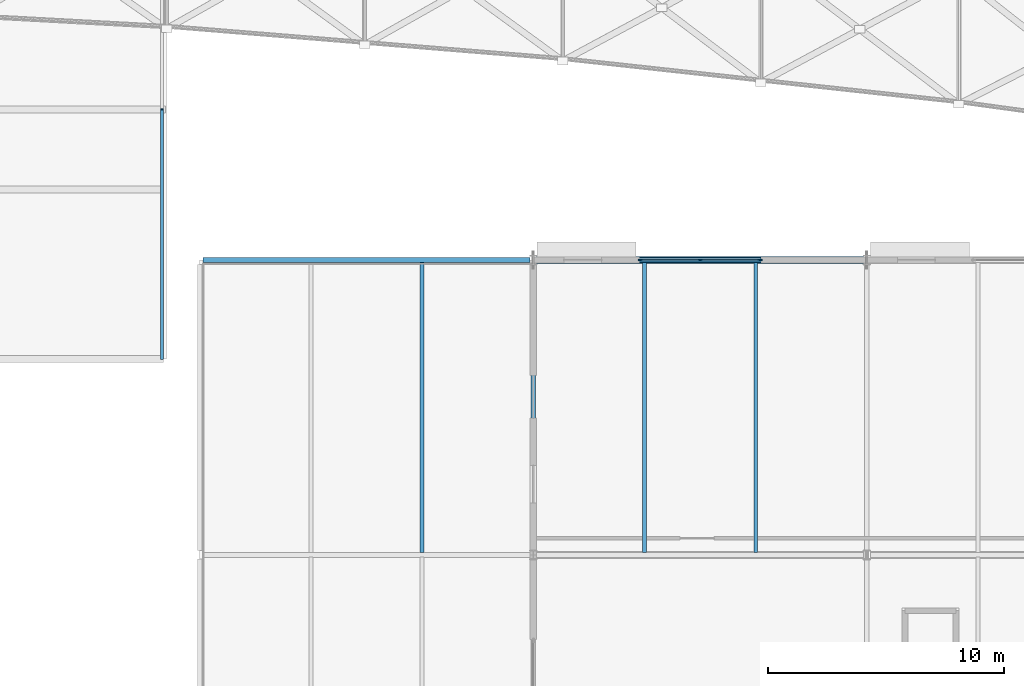
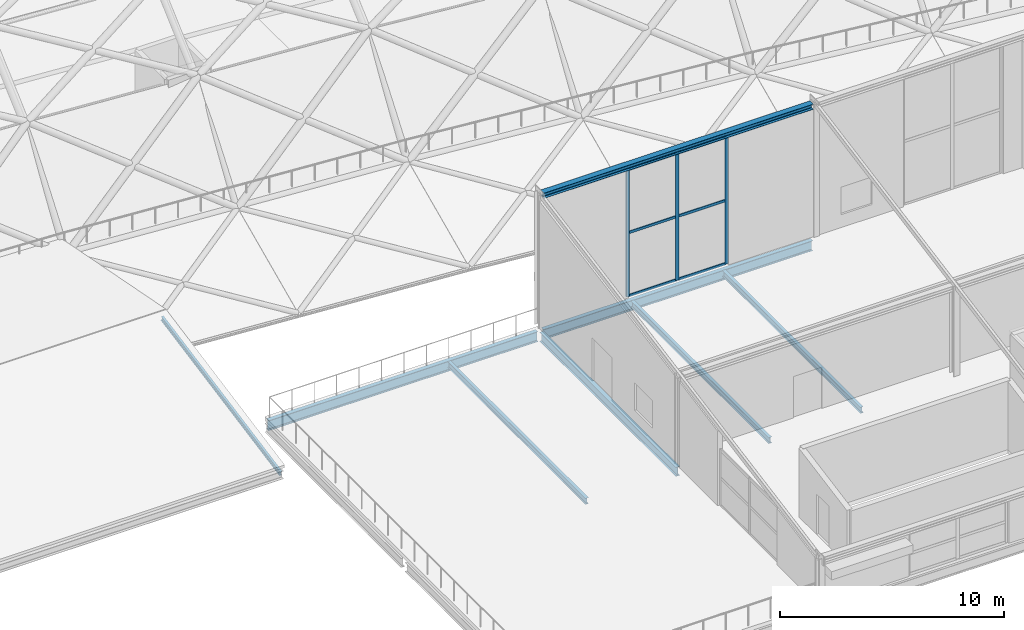
# One storey, part 47 of 100: 10 members, 7 beams, 1 element without a shape of its own.
"""IFC4 building model written with IfcOpenShell, lengths in metres."""

import ifcopenshell
import ifcopenshell.guid

model = None  # the IFC model being written
_history = None  # IfcOwnerHistory: only IFC2X3 demands one
_inside = {}  # id of a spatial element -> (the spatial element, [elements in it])
_under = {}  # id of a project, library or spatial element -> (it, [spatial elements below it])
_declared = {}  # id of a project -> (the project, [libraries it declares])
_typed = {}  # id of a type object -> (the type object, [elements of that type])
_made_of = {}  # id of a material, layer set ... -> (it, [elements and type objects made of it])


def new_model(schema):
    """Start an empty IFC model of exactly this schema.

    Asked for "IFC4X3", IfcOpenShell would pick the latest addendum, in which some entities
    have other attributes; the version numbers below select the first issue.
    IFC2X3 requires an IfcOwnerHistory on every rooted entity: one is made here for all.
    """
    global model, _history
    if schema == "IFC4X3":
        model = ifcopenshell.file(schema_version=(4, 3, 0, 0))
    else:
        model = ifcopenshell.file(schema=schema)
    _inside.clear()
    _under.clear()
    _declared.clear()
    _typed.clear()
    _made_of.clear()
    _history = None
    if model.schema == "IFC2X3":
        org = make("IfcOrganization", Name="unknown")
        user = make(
            "IfcPersonAndOrganization",
            ThePerson=make("IfcPerson", FamilyName="unknown"),
            TheOrganization=org,
        )
        app = make(
            "IfcApplication",
            ApplicationDeveloper=org,
            Version="unknown",
            ApplicationFullName="unknown",
            ApplicationIdentifier="unknown",
        )
        _history = make(
            "IfcOwnerHistory",
            OwningUser=user,
            OwningApplication=app,
            ChangeAction="ADDED",
            CreationDate=0,
        )
    return model


def make(cls, **values):
    """One entity of the class cls with the attributes given. An attribute that is None is left unset."""
    return model.create_entity(
        cls, **{name: value for name, value in values.items() if value is not None}
    )


def rooted(cls, **values):
    """An entity with a GlobalId (a new one), such as an element, a storey or a relation."""
    return make(cls, GlobalId=ifcopenshell.guid.new(), OwnerHistory=_history, **values)


def si_unit(unit_type, name, prefix=None):
    """IfcSIUnit, for example si_unit("LENGTHUNIT", "METRE", prefix="MILLI")."""
    return make("IfcSIUnit", UnitType=unit_type, Prefix=prefix, Name=name)


def assignment(units):
    """IfcUnitAssignment: the units of a project."""
    return None if units is None else make("IfcUnitAssignment", Units=units)


def point(xyz):
    """IfcCartesianPoint."""
    return None if xyz is None else make("IfcCartesianPoint", Coordinates=xyz)


def direction(xyz):
    """IfcDirection."""
    return None if xyz is None else make("IfcDirection", DirectionRatios=xyz)


def frame(location, z_axis=None, x_axis=None):
    """IfcAxis2Placement3D, a coordinate frame: its origin and axes. An axis left out is left unset."""
    return make(
        "IfcAxis2Placement3D",
        Location=point(location),
        Axis=direction(z_axis),
        RefDirection=direction(x_axis),
    )


def frame_2d(location, x_axis=None):
    """IfcAxis2Placement2D, a coordinate frame in the plane: its origin and x axis."""
    return make(
        "IfcAxis2Placement2D", Location=point(location), RefDirection=direction(x_axis)
    )


def origin():
    """The frame at (0, 0, 0) with its axes left unset."""
    return frame((0.0, 0.0, 0.0))


def origin_2d():
    """The frame at (0, 0) in the plane with its x axis left unset."""
    return frame_2d((0.0, 0.0))


def place(relative_to, where):
    """IfcLocalPlacement: puts the frame where relative to a parent placement (None: the world)."""
    return make(
        "IfcLocalPlacement", PlacementRelTo=relative_to, RelativePlacement=where
    )


def context(
    kind, dimensions, precision=None, world=None, true_north=None, identifier=None
):
    """IfcGeometricRepresentationContext, for example the 3D "Model" context."""
    return make(
        "IfcGeometricRepresentationContext",
        ContextIdentifier=identifier,
        ContextType=kind,
        CoordinateSpaceDimension=dimensions,
        Precision=precision,
        WorldCoordinateSystem=world,
        TrueNorth=true_north,
    )


def subcontext(parent, identifier, kind, view, scale=None):
    """IfcGeometricRepresentationSubContext, for example "Body" below "Model"."""
    return make(
        "IfcGeometricRepresentationSubContext",
        ContextIdentifier=identifier,
        ContextType=kind,
        ParentContext=parent,
        TargetScale=scale,
        TargetView=view,
    )


def project(units=None, contexts=None):
    """IfcProject with its units and contexts."""
    return rooted(
        "IfcProject",
        Name="project",
        RepresentationContexts=contexts,
        UnitsInContext=assignment(units),
    )


def spatial(cls, under=None, at=None, **own):
    """A site, building, storey or space (cls), placed at a placement, below another one or the project."""
    s = rooted(cls, ObjectPlacement=at, **own)
    if under is not None:
        _under.setdefault(under.id(), (under, []))[1].append(s)
    return s


def profile(cls, at=None, kind="AREA", **sizes):
    """A parametric profile (cls). Its sizes go by their IFC names, for example OverallWidth=200.0."""
    return make(cls, ProfileType=kind, Position=at, **sizes)


def rectangle(**sizes):
    """IfcRectangleProfileDef."""
    return profile("IfcRectangleProfileDef", **sizes)


def i_section(**sizes):
    """IfcIShapeProfileDef."""
    return profile("IfcIShapeProfileDef", **sizes)


def extrude(swept, where, along, depth):
    """IfcExtrudedAreaSolid: the profile swept, set in the frame where, extruded along a direction by depth."""
    return make(
        "IfcExtrudedAreaSolid",
        SweptArea=swept,
        Position=where,
        ExtrudedDirection=direction(along),
        Depth=depth,
    )


def shape(context_of_items, identifier, shape_type, items):
    """IfcShapeRepresentation: the items that make up one representation, for example the "Body"."""
    return make(
        "IfcShapeRepresentation",
        ContextOfItems=context_of_items,
        RepresentationIdentifier=identifier,
        RepresentationType=shape_type,
        Items=items,
    )


def material(Name=None, Category=None):
    """IfcMaterial."""
    return make("IfcMaterial", Name=Name, Category=Category)


def material_profile(
    of_material, cross_section, Name=None, Category=None, Priority=None
):
    """IfcMaterialProfile: a cross section and its material."""
    return make(
        "IfcMaterialProfile",
        Name=Name,
        Material=of_material,
        Profile=cross_section,
        Priority=Priority,
        Category=Category,
    )


def profile_set(profiles, Name=None, composite=None):
    """IfcMaterialProfileSet."""
    return make(
        "IfcMaterialProfileSet",
        Name=Name,
        MaterialProfiles=profiles,
        CompositeProfile=composite,
    )


def made_of(thing, what):
    """Note that an element or type object is made of a material, layer set ...; save() writes the relation."""
    if what is not None:
        _made_of.setdefault(what.id(), (what, []))[1].append(thing)
    return thing


def type_object(cls, material=None, **own):
    """A type object (cls), such as IfcWallType, which elements share."""
    return made_of(rooted(cls, **own), material)


def element(
    cls,
    number,
    at=None,
    inside=None,
    cuts=None,
    type_object=None,
    material=None,
    context=None,
    identifier="Body",
    shape_type=None,
    held_by="IfcProductDefinitionShape",
    body=None,
    shapes=None,
    **own,
):
    """One element of the class cls, such as IfcWall. Its Tag is "e" and its number.

    at: its placement. inside: the storey or other place that contains it. cuts: it is an
    opening in that element (IfcRelVoidsElement). A single representation is given by context,
    identifier, shape_type and body (its items); several are given by shapes. held_by: the class
    of the entity that holds the representations. save() writes the other relations.
    """
    e = rooted(cls, Tag="e%d" % number, ObjectPlacement=at, **own)
    if body is not None:
        shapes = [shape(context, identifier, shape_type, body)]
    if shapes is not None:
        e.Representation = make(held_by, Representations=shapes)
    if inside is not None:
        _inside.setdefault(inside.id(), (inside, []))[1].append(e)
    if cuts is not None:
        rooted(
            "IfcRelVoidsElement", RelatingBuildingElement=cuts, RelatedOpeningElement=e
        )
    if type_object is not None:
        _typed.setdefault(type_object.id(), (type_object, []))[1].append(e)
    return made_of(e, material)


def aggregate(whole, parts):
    """IfcRelAggregates: a whole, such as a stair, and the parts it consists of."""
    return rooted("IfcRelAggregates", RelatingObject=whole, RelatedObjects=parts)


def save(model, path):
    """Write the relations noted so far, then the file.

    IfcRelAggregates (storeys below a building ...), IfcRelContainedInSpatialStructure (elements
    in a storey), IfcRelDefinesByType, IfcRelAssociatesMaterial and IfcRelDeclares: one each for
    every whole, place, type object, material and project.
    """
    for whole, parts in _under.values():
        aggregate(whole, parts)
    for where, things in _inside.values():
        rooted(
            "IfcRelContainedInSpatialStructure",
            RelatedElements=things,
            RelatingStructure=where,
        )
    for kind, things in _typed.values():
        rooted("IfcRelDefinesByType", RelatedObjects=things, RelatingType=kind)
    for what, things in _made_of.values():
        rooted("IfcRelAssociatesMaterial", RelatedObjects=things, RelatingMaterial=what)
    for by, libraries in _declared.values():
        rooted("IfcRelDeclares", RelatingContext=by, RelatedDefinitions=libraries)
    model.write(path)


model = new_model("IFC4")

# Units and contexts
model_context = context("Model", 3, precision=1e-05, world=origin(), true_north=direction((0.0, 1.0)))
body_context = subcontext(model_context, "Body", "Model", "MODEL_VIEW")
ifc_project = project(units=[si_unit("LENGTHUNIT", "METRE"), si_unit("AREAUNIT", "SQUARE_METRE"), si_unit("VOLUMEUNIT", "CUBIC_METRE"), si_unit("PLANEANGLEUNIT", "RADIAN"), si_unit("MASSUNIT", "GRAM", prefix="KILO")], contexts=[model_context])

# Site, building, storey
site_placement = place(None, origin())
site = spatial("IfcSite", under=ifc_project, at=site_placement, CompositionType="ELEMENT")
building_placement = place(site_placement, origin())
building = spatial("IfcBuilding", under=site, at=building_placement, Name="Kimbaza Rail Terminus", CompositionType="ELEMENT")
storey_placement = place(building_placement, frame((0.0, 0.0, 10.800048828125)))
storey = spatial("IfcBuildingStorey", under=building, at=storey_placement, Name="L02", CompositionType="ELEMENT", Elevation=10.800048828125)

# Curtain wall, members
ifc_material_1 = material(Name="Anodised aluminium framing and solar low-E glazing", Category="aluminium")
curtain_wall_type = type_object("IfcCurtainWallType", Name="ARC-CW-PV1", PredefinedType="USERDEFINED", material=ifc_material_1)
curtain_wall_placement = place(storey_placement, origin())
curtain_wall = element("IfcCurtainWall", 1, at=curtain_wall_placement, inside=storey, type_object=curtain_wall_type, Name="Pavilion N Curtain Wall L02.1", ObjectType="STICK CURTAIN WALL", PredefinedType="USERDEFINED")
ifc_material_2 = material(Name="Anodised architectural aluminium", Category="aluminium")
ifc_material_profile_1 = material_profile(ifc_material_2, rectangle(XDim=0.06494140625, YDim=0.175048828125, at=origin_2d()), Name="MULLION 65x175")
ifc_profile_set_1 = profile_set([ifc_material_profile_1], Name="Anodised architectural aluminium")
member_type_1 = type_object("IfcMemberType", Name="ARC-CWM-04", PredefinedType="MULLION", material=ifc_profile_set_1)
member_1_placement = place(storey_placement, frame((176.08251953125, 38.0, 0.0), z_axis=(0.0, 0.0, 1.0), x_axis=(0.0, 1.0, 0.0)))
member_1 = element("IfcMember", 2, at=member_1_placement, type_object=member_type_1, Name="CW-04 mullion 1", PredefinedType="MULLION", context=body_context, shape_type="SweptSolid", body=[
    extrude(rectangle(XDim=0.06494140625, YDim=0.175048828125, at=origin_2d()), origin(), (0.0, 0.0, 1.0), 6.945068359375),
])
member_2_placement = place(storey_placement, frame((178.625, 38.0, 0.0), z_axis=(0.0, 0.0, 1.0), x_axis=(0.0, 1.0, 0.0)))
member_2 = element("IfcMember", 3, at=member_2_placement, type_object=member_type_1, Name="CW-04 mullion 2", PredefinedType="MULLION", context=body_context, shape_type="SweptSolid", body=[
    extrude(rectangle(XDim=0.06494140625, YDim=0.175048828125, at=origin_2d()), origin(), (0.0, 0.0, 1.0), 6.945068359375),
])
member_3_placement = place(storey_placement, frame((181.16748046875, 38.0, 0.0), z_axis=(0.0, 0.0, 1.0), x_axis=(0.0, 1.0, 0.0)))
member_3 = element("IfcMember", 4, at=member_3_placement, type_object=member_type_1, Name="CW-04 mullion 3", PredefinedType="MULLION", context=body_context, shape_type="SweptSolid", body=[
    extrude(rectangle(XDim=0.06494140625, YDim=0.175048828125, at=origin_2d()), origin(), (0.0, 0.0, 1.0), 6.945068359375),
])
ifc_material_3 = material(Name="Anodised architectural aluminium", Category="aluminium")
ifc_material_profile_2 = material_profile(ifc_material_3, rectangle(XDim=0.06494140625, YDim=0.139892578125, at=origin_2d()), Name="TRANSOM 65x140")
ifc_profile_set_2 = profile_set([ifc_material_profile_2], Name="Anodised architectural aluminium")
member_type_2 = type_object("IfcMemberType", Name="ARC-CWT-04", PredefinedType="USERDEFINED", material=ifc_profile_set_2)
member_4_placement = place(storey_placement, frame((176.114990234375, 38.0, 0.032470703125), z_axis=(1.0, 0.0, 0.0), x_axis=(0.0, 1.0, 0.0)))
member_4 = element("IfcMember", 5, at=member_4_placement, type_object=member_type_2, Name="CW-04 transom 1.1", ObjectType="TRANSOM", PredefinedType="USERDEFINED", context=body_context, shape_type="SweptSolid", body=[
    extrude(rectangle(XDim=0.06494140625, YDim=0.139892578125, at=origin_2d()), origin(), (0.0, 0.0, 1.0), 2.4775390625),
])
member_5_placement = place(storey_placement, frame((176.114990234375, 38.0, 3.472412109375), z_axis=(1.0, 0.0, 0.0), x_axis=(0.0, 1.0, 0.0)))
member_5 = element("IfcMember", 6, at=member_5_placement, type_object=member_type_2, Name="CW-04 transom 1.2", ObjectType="TRANSOM", PredefinedType="USERDEFINED", context=body_context, shape_type="SweptSolid", body=[
    extrude(rectangle(XDim=0.06494140625, YDim=0.139892578125, at=origin_2d()), origin(), (0.0, 0.0, 1.0), 2.4775390625),
])
member_6_placement = place(storey_placement, frame((176.114990234375, 38.0, 6.912353515625), z_axis=(1.0, 0.0, 0.0), x_axis=(0.0, 1.0, 0.0)))
member_6 = element("IfcMember", 7, at=member_6_placement, type_object=member_type_2, Name="CW-04 transom 1.3", ObjectType="TRANSOM", PredefinedType="USERDEFINED", context=body_context, shape_type="SweptSolid", body=[
    extrude(rectangle(XDim=0.06494140625, YDim=0.139892578125, at=origin_2d()), origin(), (0.0, 0.0, 1.0), 2.4775390625),
])
member_7_placement = place(storey_placement, frame((178.657470703125, 38.0, 0.032470703125), z_axis=(1.0, 0.0, 0.0), x_axis=(0.0, 1.0, 0.0)))
member_7 = element("IfcMember", 8, at=member_7_placement, type_object=member_type_2, Name="CW-04 transom 2.1", ObjectType="TRANSOM", PredefinedType="USERDEFINED", context=body_context, shape_type="SweptSolid", body=[
    extrude(rectangle(XDim=0.06494140625, YDim=0.139892578125, at=origin_2d()), origin(), (0.0, 0.0, 1.0), 2.4775390625),
])
member_8_placement = place(storey_placement, frame((178.657470703125, 38.0, 3.472412109375), z_axis=(1.0, 0.0, 0.0), x_axis=(0.0, 1.0, 0.0)))
member_8 = element("IfcMember", 9, at=member_8_placement, type_object=member_type_2, Name="CW-04 transom 2.2", ObjectType="TRANSOM", PredefinedType="USERDEFINED", context=body_context, shape_type="SweptSolid", body=[
    extrude(rectangle(XDim=0.06494140625, YDim=0.139892578125, at=origin_2d()), origin(), (0.0, 0.0, 1.0), 2.4775390625),
])
member_9_placement = place(storey_placement, frame((178.657470703125, 38.0, 6.912353515625), z_axis=(1.0, 0.0, 0.0), x_axis=(0.0, 1.0, 0.0)))
member_9 = element("IfcMember", 10, at=member_9_placement, type_object=member_type_2, Name="CW-04 transom 2.3", ObjectType="TRANSOM", PredefinedType="USERDEFINED", context=body_context, shape_type="SweptSolid", body=[
    extrude(rectangle(XDim=0.06494140625, YDim=0.139892578125, at=origin_2d()), origin(), (0.0, 0.0, 1.0), 2.4775390625),
])
aggregate(curtain_wall, [member_1, member_2, member_3, member_4, member_5, member_6, member_7, member_8, member_9])

# Beams
ifc_material_4 = material(Name="Steel S355", Category="steel")
ifc_material_profile_3 = material_profile(ifc_material_4, i_section(OverallWidth=0.300048828125, OverallDepth=0.2900390625, WebThickness=0.008544921875, FlangeThickness=0.013916015625, FilletRadius=0.027099609375, at=origin_2d()), Name="HEA 300")
ifc_profile_set_3 = profile_set([ifc_material_profile_3], Name="Steel S355")
beam_type_1 = type_object("IfcBeamType", Name="STR-BM-HEA300", PredefinedType="SPANDREL", material=ifc_profile_set_3)
beam_1_placement = place(storey_placement, frame((171.696044921875, 38.0, 7.094970703125), z_axis=(1.0, 0.0, 0.0), x_axis=(0.0, 1.0, 0.0)))
element("IfcBeam", 11, at=beam_1_placement, inside=storey, type_object=beam_type_1, Name="Beam BM-V4RFX-1-2", PredefinedType="SPANDREL", context=body_context, shape_type="SweptSolid", body=[
    extrude(i_section(OverallWidth=0.300048828125, OverallDepth=0.2900390625, WebThickness=0.008544921875, FlangeThickness=0.013916015625, FilletRadius=0.027099609375, at=origin_2d()), origin(), (0.0, 0.0, 1.0), 13.85791015625),
])
ifc_material_5 = material(Name="Steel S355", Category="steel")
ifc_material_profile_4 = material_profile(ifc_material_5, i_section(OverallWidth=0.159912109375, OverallDepth=0.330078125, WebThickness=0.007568359375, FlangeThickness=0.011474609375, FilletRadius=0.01806640625, at=origin_2d()), Name="IPE 330")
ifc_profile_set_4 = profile_set([ifc_material_profile_4], Name="Steel S355")
beam_type_2 = type_object("IfcBeamType", Name="STR-BM-IPE330", PredefinedType="JOIST", material=ifc_profile_set_4)
for number, where, z_axis, x_axis, name in (
    (12, (166.833251953125, 25.60009765625, -0.385009765625), (0.0, 1.0, 0.0), (-1.0, 0.0, 0.0), "Beam JST-V4-L02-0-2-1"),
    (13, (176.2666015625, 25.60009765625, -0.385009765625), (0.0, 1.0, 0.0), (-1.0, 0.0, 0.0), "Beam JST-V4-L02-1-1-1"),
    (14, (180.9833984375, 25.60009765625, -0.385009765625), (0.0, 1.0, 0.0), (-1.0, 0.0, 0.0), "Beam JST-V4-L02-1-2-1"),
):
    element("IfcBeam", number, at=place(storey_placement, frame(where, z_axis=z_axis, x_axis=x_axis)), inside=storey, type_object=beam_type_2, Name=name, PredefinedType="JOIST", context=body_context, shape_type="SweptSolid", body=[
        extrude(i_section(OverallWidth=0.159912109375, OverallDepth=0.330078125, WebThickness=0.007568359375, FlangeThickness=0.011474609375, FilletRadius=0.01806640625, at=origin_2d()), origin(), (0.0, 0.0, 1.0), 12.2998046875),
    ])
ifc_material_6 = material(Name="Steel S355", Category="steel")
ifc_material_profile_5 = material_profile(ifc_material_6, i_section(OverallWidth=0.199951171875, OverallDepth=0.5, WebThickness=0.01025390625, FlangeThickness=0.01611328125, FilletRadius=0.02099609375, at=origin_2d()), Name="IPE 500")
ifc_profile_set_5 = profile_set([ifc_material_profile_5], Name="Steel S355")
beam_type_3 = type_object("IfcBeamType", Name="STR-BM-IPE500", PredefinedType="BEAM", material=ifc_profile_set_5)
beam_2_placement = place(storey_placement, frame((171.550048828125, 25.675048828125, -0.469970703125), z_axis=(0.0, 1.0, 0.0), x_axis=(-1.0, 0.0, 0.0)))
element("IfcBeam", 15, at=beam_2_placement, inside=storey, type_object=beam_type_3, Name="Beam BM-V4Y-L02-1-1", PredefinedType="BEAM", context=body_context, shape_type="SweptSolid", body=[
    extrude(i_section(OverallWidth=0.199951171875, OverallDepth=0.5, WebThickness=0.01025390625, FlangeThickness=0.01611328125, FilletRadius=0.02099609375, at=origin_2d()), origin(), (0.0, 0.0, 1.0), 12.14990234375),
])
ifc_material_7 = material(Name="Steel S355", Category="steel")
ifc_material_profile_6 = material_profile(ifc_material_7, i_section(OverallWidth=0.2099609375, OverallDepth=0.550048828125, WebThickness=0.010986328125, FlangeThickness=0.01708984375, FilletRadius=0.02392578125, at=origin_2d()), Name="IPE 550")
ifc_profile_set_6 = profile_set([ifc_material_profile_6], Name="Steel S355")
beam_type_4 = type_object("IfcBeamType", Name="STR-BM-IPE550", PredefinedType="BEAM", material=ifc_profile_set_6)
beam_3_placement = place(storey_placement, frame((157.5458984375, 38.0, -0.4951171875), z_axis=(1.0, 0.0, 0.0), x_axis=(0.0, 1.0, 0.0)))
element("IfcBeam", 16, at=beam_3_placement, inside=storey, type_object=beam_type_4, Name="Beam BM-V4X-L02-0-2", PredefinedType="BEAM", context=body_context, shape_type="SweptSolid", body=[
    extrude(i_section(OverallWidth=0.2099609375, OverallDepth=0.550048828125, WebThickness=0.010986328125, FlangeThickness=0.01708984375, FilletRadius=0.02392578125, at=origin_2d()), origin(), (0.0, 0.0, 1.0), 13.858154296875),
])
beam_4_placement = place(storey_placement, frame((171.696044921875, 38.0, -0.4951171875), z_axis=(1.0, 0.0, 0.0), x_axis=(0.0, 1.0, 0.0)))
element("IfcBeam", 17, at=beam_4_placement, inside=storey, type_object=beam_type_4, Name="Beam BM-V4X-L02-1-2", PredefinedType="BEAM", context=body_context, shape_type="SweptSolid", body=[
    extrude(i_section(OverallWidth=0.2099609375, OverallDepth=0.550048828125, WebThickness=0.010986328125, FlangeThickness=0.01708984375, FilletRadius=0.02392578125, at=origin_2d()), origin(), (0.0, 0.0, 1.0), 13.85791015625),
])

# Member
ifc_material_8 = material(Name="Steel S355", Category="steel")
ifc_material_profile_7 = material_profile(ifc_material_8, i_section(OverallWidth=0.1201171875, OverallDepth=0.239990234375, WebThickness=0.006103515625, FlangeThickness=0.009765625, FilletRadius=0.014892578125, at=origin_2d()), Name="IPE 240")
ifc_profile_set_7 = profile_set([ifc_material_profile_7], Name="Steel S355")
member_type_3 = type_object("IfcMemberType", Name="STR-MB-IPE240", PredefinedType="PURLIN", material=ifc_profile_set_7)
member_10_placement = place(storey_placement, frame((155.800048828125, 33.800048828125, 0.0), z_axis=(0.0, 0.981806378317, 0.189884795327), x_axis=(-1.0, 0.0, 0.0)))
element("IfcMember", 18, at=member_10_placement, inside=storey, type_object=member_type_3, Name="Concourse Roof Rafter S6", PredefinedType="PURLIN", context=body_context, shape_type="SweptSolid", body=[
    extrude(i_section(OverallWidth=0.1201171875, OverallDepth=0.239990234375, WebThickness=0.006103515625, FlangeThickness=0.009765625, FilletRadius=0.014892578125, at=origin_2d()), origin(), (0.0, 0.0, 1.0), 10.79638671875),
])

save(model, "model.ifc")
